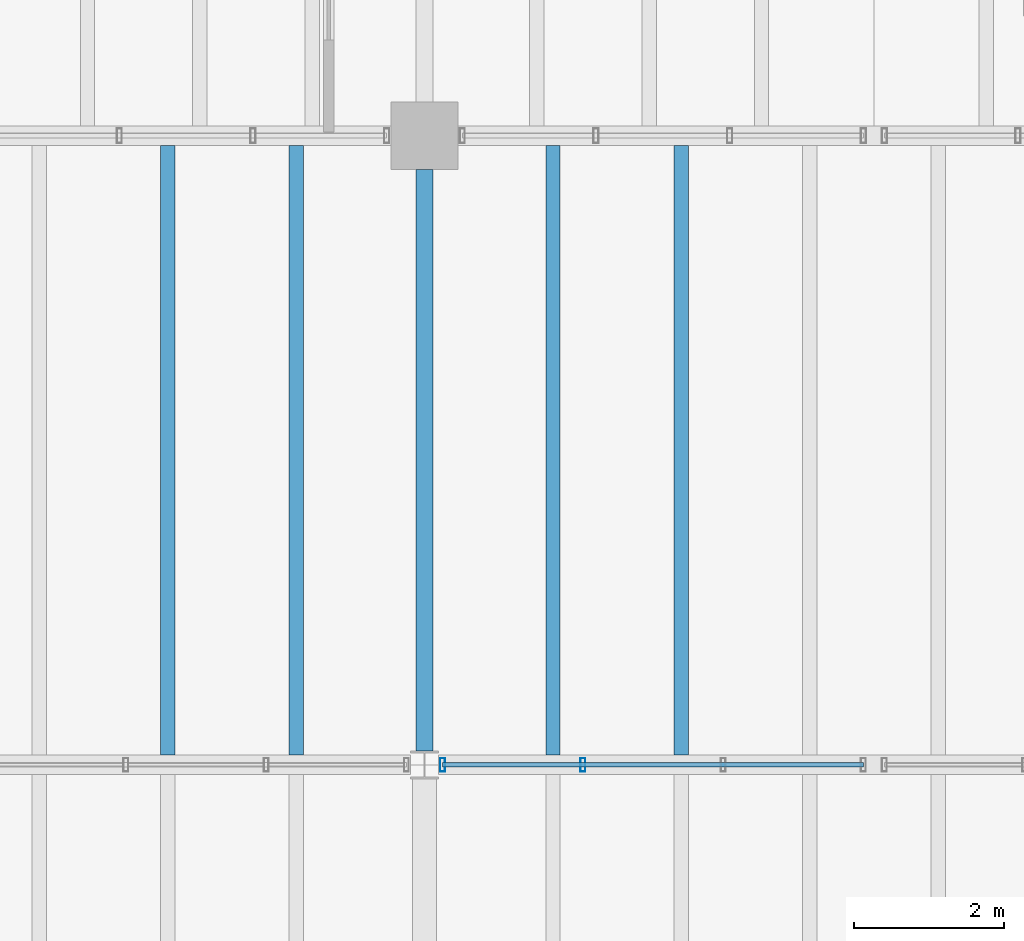
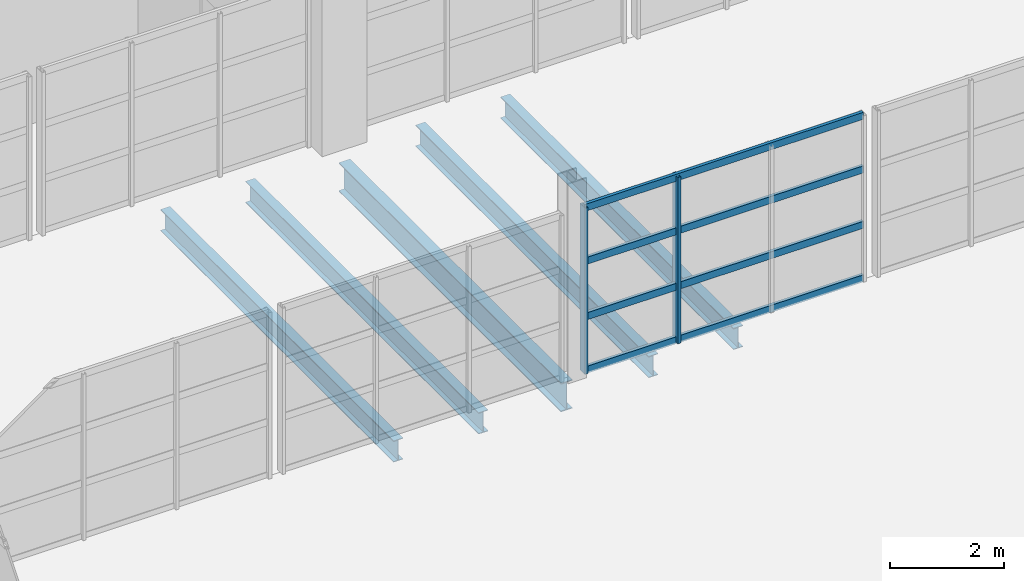
# One storey, part 18 of 114: 6 members, 5 beams, 1 element without a shape of its own.
"""IFC4 building model written with IfcOpenShell, lengths in metres."""

from ifc_helpers import new_model, si_unit, direction, frame, origin, origin_2d, place, context, subcontext, project, spatial, hollow_rectangle, i_section, extrude, material, material_profile, profile_set, type_object, element, aggregate, save


model = new_model("IFC4")

# Units and contexts
model_context = context("Model", 3, precision=1e-05, world=origin(), true_north=direction((0.0, 1.0)))
body_context = subcontext(model_context, "Body", "Model", "MODEL_VIEW")
ifc_project = project(units=[si_unit("LENGTHUNIT", "METRE"), si_unit("AREAUNIT", "SQUARE_METRE"), si_unit("VOLUMEUNIT", "CUBIC_METRE"), si_unit("PLANEANGLEUNIT", "RADIAN"), si_unit("MASSUNIT", "GRAM", prefix="KILO")], contexts=[model_context])

# Site, building, storey
site_placement = place(None, origin())
site = spatial("IfcSite", under=ifc_project, at=site_placement, CompositionType="ELEMENT")
building_placement = place(site_placement, origin())
building = spatial("IfcBuilding", under=site, at=building_placement, Name="Kelmvaro Bay Concert Hall", CompositionType="ELEMENT")
storey_placement = place(building_placement, frame((0.0, 0.0, 4.800048828125)))
storey = spatial("IfcBuildingStorey", under=building, at=storey_placement, Name="L01", CompositionType="ELEMENT", Elevation=4.800048828125)

# Curtain wall, members
ifc_material_1 = material(Name="Anodised Aluminium and Low-E Insulated Glazing", Category="aluminium")
curtain_wall_type = type_object("IfcCurtainWallType", Name="West Link Courtyard Curtain Wall 4000", PredefinedType="USERDEFINED", material=ifc_material_1)
curtain_wall_placement = place(storey_placement, origin())
curtain_wall = element("IfcCurtainWall", 1, at=curtain_wall_placement, inside=storey, type_object=curtain_wall_type, Name="Unitised Curtain Wall CW-L01-135", ObjectType="UNITISED GLAZING", PredefinedType="USERDEFINED")
ifc_material_2 = material(Name="Anodised Extruded Aluminium 6063-T6", Category="aluminium")
ifc_material_profile_1 = material_profile(ifc_material_2, hollow_rectangle(XDim=0.06494140625, YDim=0.179931640625, WallThickness=0.00390625, at=origin_2d()), Name="ALU-MUL-180X65")
ifc_profile_set_1 = profile_set([ifc_material_profile_1], Name="Anodised Extruded Aluminium 6063-T6")
member_type_1 = type_object("IfcMemberType", Name="Curtain Mullion ALU 180x65", PredefinedType="MULLION", material=ifc_profile_set_1)
member_1_placement = place(storey_placement, frame((12.241455078125, 57.0, 0.0), z_axis=(0.0, 0.0, 1.0), x_axis=(1.0, 0.0, 0.0)))
member_1 = element("IfcMember", 2, at=member_1_placement, type_object=member_type_1, Name="CW-L01-135 Mullion 01", PredefinedType="MULLION", context=body_context, shape_type="SweptSolid", body=[
    extrude(hollow_rectangle(XDim=0.06494140625, YDim=0.179931640625, WallThickness=0.00390625, at=origin_2d()), origin(), (0.0, 0.0, 1.0), 3.546875),
])
member_2_placement = place(storey_placement, frame((14.1142578125, 57.0, 0.0), z_axis=(0.0, 0.0, 1.0), x_axis=(1.0, 0.0, 0.0)))
member_2 = element("IfcMember", 3, at=member_2_placement, type_object=member_type_1, Name="CW-L01-135 Mullion 02", PredefinedType="MULLION", context=body_context, shape_type="SweptSolid", body=[
    extrude(hollow_rectangle(XDim=0.06494140625, YDim=0.179931640625, WallThickness=0.00390625, at=origin_2d()), origin(), (0.0, 0.0, 1.0), 3.546875),
])
ifc_material_3 = material(Name="Anodised Extruded Aluminium 6063-T6", Category="aluminium")
ifc_material_profile_2 = material_profile(ifc_material_3, hollow_rectangle(XDim=0.06494140625, YDim=0.14990234375, WallThickness=0.00390625, at=origin_2d()), Name="ALU-TRN-150X65")
ifc_profile_set_2 = profile_set([ifc_material_profile_2], Name="Anodised Extruded Aluminium 6063-T6")
member_type_2 = type_object("IfcMemberType", Name="Curtain Transom ALU 150x65", PredefinedType="USERDEFINED", material=ifc_profile_set_2)
member_3_placement = place(storey_placement, frame((12.241455078125, 57.0, 0.0400390625), z_axis=(1.0, 0.0, 0.0), x_axis=(0.0, 1.0, 0.0)))
member_3 = element("IfcMember", 4, at=member_3_placement, type_object=member_type_2, Name="CW-L01-135 Transom 01", ObjectType="TRANSOM", PredefinedType="USERDEFINED", context=body_context, shape_type="SweptSolid", body=[
    extrude(hollow_rectangle(XDim=0.06494140625, YDim=0.14990234375, WallThickness=0.00390625, at=origin_2d()), origin(), (0.0, 0.0, 1.0), 5.61865234375),
])
member_4_placement = place(storey_placement, frame((12.241455078125, 57.0, 1.182373046875), z_axis=(1.0, 0.0, 0.0), x_axis=(0.0, 1.0, 0.0)))
member_4 = element("IfcMember", 5, at=member_4_placement, type_object=member_type_2, Name="CW-L01-135 Transom 02", ObjectType="TRANSOM", PredefinedType="USERDEFINED", context=body_context, shape_type="SweptSolid", body=[
    extrude(hollow_rectangle(XDim=0.06494140625, YDim=0.14990234375, WallThickness=0.00390625, at=origin_2d()), origin(), (0.0, 0.0, 1.0), 5.61865234375),
])
member_5_placement = place(storey_placement, frame((12.241455078125, 57.0, 2.36474609375), z_axis=(1.0, 0.0, 0.0), x_axis=(0.0, 1.0, 0.0)))
member_5 = element("IfcMember", 6, at=member_5_placement, type_object=member_type_2, Name="CW-L01-135 Transom 03", ObjectType="TRANSOM", PredefinedType="USERDEFINED", context=body_context, shape_type="SweptSolid", body=[
    extrude(hollow_rectangle(XDim=0.06494140625, YDim=0.14990234375, WallThickness=0.00390625, at=origin_2d()), origin(), (0.0, 0.0, 1.0), 5.61865234375),
])
member_6_placement = place(storey_placement, frame((12.241455078125, 57.0, 3.5068359375), z_axis=(1.0, 0.0, 0.0), x_axis=(0.0, 1.0, 0.0)))
member_6 = element("IfcMember", 7, at=member_6_placement, type_object=member_type_2, Name="CW-L01-135 Transom 04", ObjectType="TRANSOM", PredefinedType="USERDEFINED", context=body_context, shape_type="SweptSolid", body=[
    extrude(hollow_rectangle(XDim=0.06494140625, YDim=0.14990234375, WallThickness=0.00390625, at=origin_2d()), origin(), (0.0, 0.0, 1.0), 5.61865234375),
])
aggregate(curtain_wall, [member_1, member_2, member_3, member_4, member_5, member_6])

# Beams
ifc_material_4 = material(Name="Steel ASTM A992 Grade 50", Category="steel")
ifc_material_profile_3 = material_profile(ifc_material_4, i_section(OverallWidth=0.19091796875, OverallDepth=0.45703125, WebThickness=0.009033203125, FlangeThickness=0.014404296875, at=origin_2d()), Name="W18X50")
ifc_profile_set_3 = profile_set([ifc_material_profile_3], Name="Steel ASTM A992 Grade 50")
beam_type_1 = type_object("IfcBeamType", Name="Standard Composite Floor Joist W18x50", PredefinedType="JOIST", material=ifc_profile_set_3)
for number, where, z_axis, x_axis, name in (
    (8, (8.5712890625, 57.1279296875, -0.468505859375), (0.0, 1.0, 0.0), (-1.0, 0.0, 0.0), "L01 Floor Joist JST-L01-0506"),
    (9, (10.28564453125, 57.1279296875, -0.468505859375), (0.0, 1.0, 0.0), (-1.0, 0.0, 0.0), "L01 Floor Joist JST-L01-0507"),
    (10, (13.71435546875, 57.1279296875, -0.468505859375), (0.0, 1.0, 0.0), (-1.0, 0.0, 0.0), "L01 Floor Joist JST-L01-0508"),
    (11, (15.4287109375, 57.1279296875, -0.468505859375), (0.0, 1.0, 0.0), (-1.0, 0.0, 0.0), "L01 Floor Joist JST-L01-0509"),
):
    element("IfcBeam", number, at=place(storey_placement, frame(where, z_axis=z_axis, x_axis=x_axis)), inside=storey, type_object=beam_type_1, Name=name, PredefinedType="JOIST", context=body_context, shape_type="SweptSolid", body=[
        extrude(i_section(OverallWidth=0.19091796875, OverallDepth=0.45703125, WebThickness=0.009033203125, FlangeThickness=0.014404296875, at=origin_2d()), origin(), (0.0, 0.0, 1.0), 8.14404296875),
    ])
ifc_material_5 = material(Name="Steel ASTM A992 Grade 50", Category="steel")
ifc_material_profile_4 = material_profile(ifc_material_5, i_section(OverallWidth=0.22900390625, OverallDepth=0.612060546875, WebThickness=0.011962890625, FlangeThickness=0.01953125, at=origin_2d()), Name="W24X84")
ifc_profile_set_4 = profile_set([ifc_material_profile_4], Name="Steel ASTM A992 Grade 50")
beam_type_2 = type_object("IfcBeamType", Name="Terrace Edge Girder W24x84", PredefinedType="BEAM", material=ifc_profile_set_4)
beam_placement = place(storey_placement, frame((12.0, 57.1865234375, -0.546142578125), z_axis=(0.0, 1.0, 0.0), x_axis=(-1.0, 0.0, 0.0)))
element("IfcBeam", 12, at=beam_placement, inside=storey, type_object=beam_type_2, Name="L01 Girder BM-L01-NS-0133", PredefinedType="BEAM", context=body_context, shape_type="SweptSolid", body=[
    extrude(i_section(OverallWidth=0.22900390625, OverallDepth=0.612060546875, WebThickness=0.011962890625, FlangeThickness=0.01953125, at=origin_2d()), origin(), (0.0, 0.0, 1.0), 7.763427734375),
])

save(model, "model.ifc")
